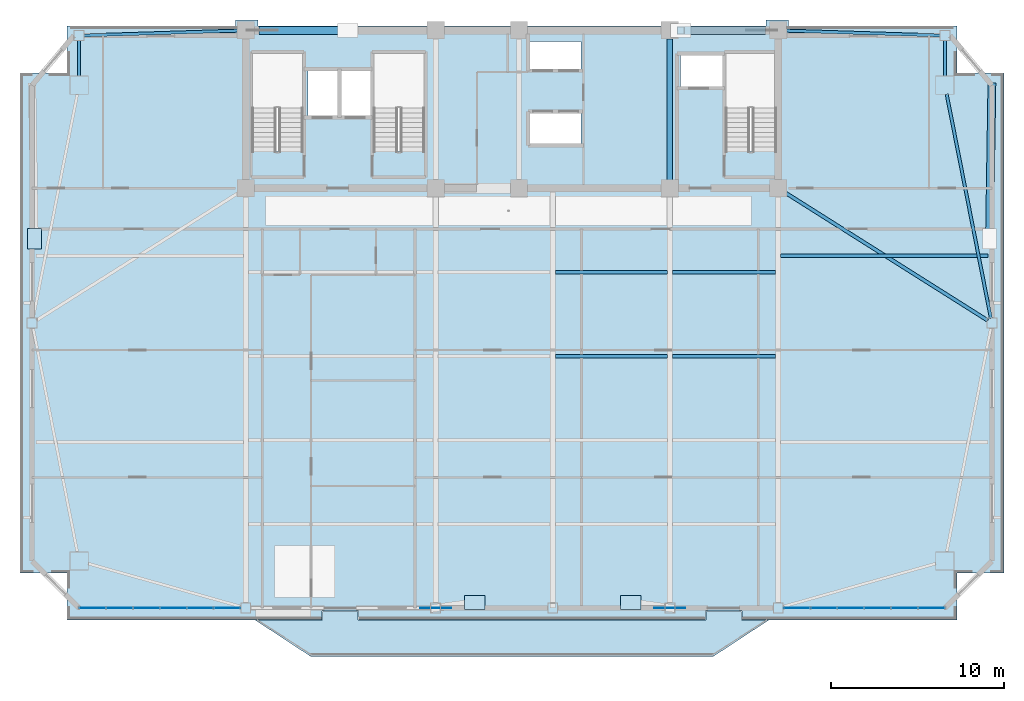
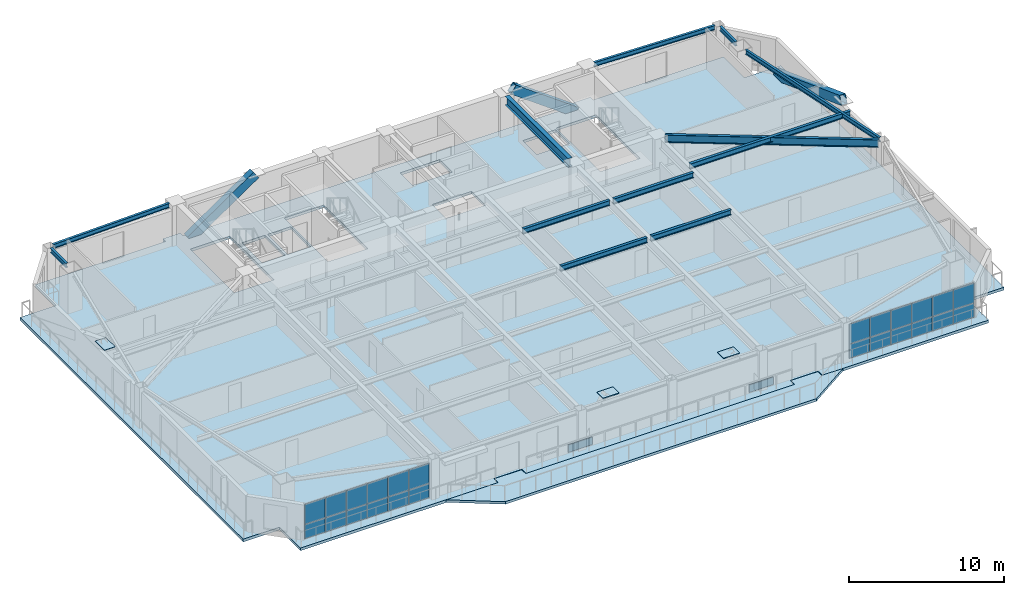
# One storey, part 7 of 16: 29 plates, 12 beams, 3 members, 2 slabs, 2 elements without a shape of their own.
"""IFC4 building model written with IfcOpenShell, lengths in metres."""

from ifc_helpers import new_model, si_unit, direction, frame, origin, origin_2d, place, context, subcontext, project, spatial, polyline, rectangle, hollow_rectangle, i_section, outline, extrude, source, transform, mapped, material, layer, layer_set, material_profile, profile_set, type_object, element, aggregate, save


model = new_model("IFC4")

# Units and contexts
model_context = context("Model", 3, precision=1e-05, world=origin(), true_north=direction((0.0, 1.0)))
body_context = subcontext(model_context, "Body", "Model", "MODEL_VIEW")
ifc_project = project(units=[si_unit("LENGTHUNIT", "METRE"), si_unit("AREAUNIT", "SQUARE_METRE"), si_unit("VOLUMEUNIT", "CUBIC_METRE"), si_unit("PLANEANGLEUNIT", "RADIAN"), si_unit("MASSUNIT", "GRAM", prefix="KILO")], contexts=[model_context])

# Site, building, storey
site_placement = place(None, origin())
site = spatial("IfcSite", under=ifc_project, at=site_placement, CompositionType="ELEMENT")
building_placement = place(site_placement, origin())
building = spatial("IfcBuilding", under=site, at=building_placement, Name="Giltprow Tower", CompositionType="ELEMENT")
storey_placement = place(building_placement, frame((0.0, 0.0, 227.0)))
storey = spatial("IfcBuildingStorey", under=building, at=storey_placement, Name="L57", CompositionType="ELEMENT", Elevation=227.0)

# Beams
ifc_material_1 = material(Name="Structural steel Q355B", Category="steel")
ifc_material_profile_1 = material_profile(ifc_material_1, i_section(OverallWidth=0.300048828125, OverallDepth=0.699951171875, WebThickness=0.012939453125, FlangeThickness=0.02392578125, at=origin_2d()), Name="HN 700x300x13x24")
ifc_profile_set_1 = profile_set([ifc_material_profile_1], Name="Structural steel Q355B")
beam_type_1 = type_object("IfcBeamType", Name="BM-GIRD-HN700", PredefinedType="BEAM", material=ifc_profile_set_1)
shared_shape_1 = source(origin(), body_context, "Body", "SweptSolid", [
    extrude(i_section(OverallWidth=0.300048828125, OverallDepth=0.699951171875, WebThickness=0.012939453125, FlangeThickness=0.02392578125, at=origin_2d()), origin(), (0.0, 0.0, 1.0), 8.1298828125),
])
beam_1_placement = place(storey_placement, frame((44.300048828125, 37.93505859375, 2.8349609375), z_axis=(0.0, 1.0, 0.0), x_axis=(-1.0, 0.0, 0.0)))
element("IfcBeam", 1, at=beam_1_placement, inside=storey, type_object=beam_type_1, Name="L57 Core Tie Girder M3", PredefinedType="BEAM", context=body_context, shape_type="MappedRepresentation", body=[
    mapped(shared_shape_1, transform((0.0, 0.0, 0.0), x_axis=(1.0, 0.0, 0.0), y_axis=(0.0, 1.0, 0.0), z_axis=(0.0, 0.0, 1.0), scale=1.0)),
])
ifc_material_profile_2 = material_profile(ifc_material_1, i_section(OverallWidth=0.199951171875, OverallDepth=0.39990234375, WebThickness=0.008056640625, FlangeThickness=0.012939453125, at=origin_2d()), Name="HN 400x200x8x13")
ifc_profile_set_2 = profile_set([ifc_material_profile_2], Name="Structural steel Q355B")
beam_type_2 = type_object("IfcBeamType", Name="BM-JOIST-HN400", PredefinedType="JOIST", material=ifc_profile_set_2)
shared_shape_2 = source(origin(), body_context, "Body", "SweptSolid", [
    extrude(i_section(OverallWidth=0.199951171875, OverallDepth=0.39990234375, WebThickness=0.008056640625, FlangeThickness=0.012939453125, at=origin_2d()), origin(), (0.0, 0.0, 1.0), 6.4599609375),
])
for number, where, z_axis, x_axis, name in (
    (2, (37.695068359375, 27.77001953125, 2.985107421875), (1.0, 0.0, 0.0), (0.0, 1.0, 0.0), "L57 Composite Floor Joist 3-3"),
    (3, (37.695068359375, 32.610107421875, 2.985107421875), (1.0, 0.0, 0.0), (0.0, 1.0, 0.0), "L57 Composite Floor Joist 4-3"),
):
    element("IfcBeam", number, at=place(storey_placement, frame(where, z_axis=z_axis, x_axis=x_axis)), inside=storey, type_object=beam_type_2, Name=name, PredefinedType="JOIST", context=body_context, shape_type="MappedRepresentation", body=[
        mapped(shared_shape_2, transform((0.0, 0.0, 0.0), x_axis=(1.0, 0.0, 0.0), y_axis=(0.0, 1.0, 0.0), z_axis=(0.0, 0.0, 1.0), scale=1.0)),
    ])
shared_shape_3 = source(origin(), body_context, "Body", "SweptSolid", [
    extrude(i_section(OverallWidth=0.199951171875, OverallDepth=0.39990234375, WebThickness=0.008056640625, FlangeThickness=0.012939453125, at=origin_2d()), origin(), (0.0, 0.0, 1.0), 5.9599609375),
])
for number, where, z_axis, x_axis, name in (
    (4, (44.445068359375, 27.77001953125, 2.985107421875), (1.0, 0.0, 0.0), (0.0, 1.0, 0.0), "L57 Composite Floor Joist 3-4"),
    (5, (44.445068359375, 32.610107421875, 2.985107421875), (1.0, 0.0, 0.0), (0.0, 1.0, 0.0), "L57 Composite Floor Joist 4-4"),
):
    element("IfcBeam", number, at=place(storey_placement, frame(where, z_axis=z_axis, x_axis=x_axis)), inside=storey, type_object=beam_type_2, Name=name, PredefinedType="JOIST", context=body_context, shape_type="MappedRepresentation", body=[
        mapped(shared_shape_3, transform((0.0, 0.0, 0.0), x_axis=(1.0, 0.0, 0.0), y_axis=(0.0, 1.0, 0.0), z_axis=(0.0, 0.0, 1.0), scale=1.0)),
    ])
ifc_material_profile_3 = material_profile(ifc_material_1, i_section(OverallWidth=0.199951171875, OverallDepth=0.60009765625, WebThickness=0.010986328125, FlangeThickness=0.01708984375, at=origin_2d()), Name="HN 600x200x11x17")
ifc_profile_set_3 = profile_set([ifc_material_profile_3], Name="Structural steel Q355B")
beam_type_3 = type_object("IfcBeamType", Name="BM-GIRD-HN600", PredefinedType="BEAM", material=ifc_profile_set_3)
shared_shape_4 = source(origin(), body_context, "Body", "SweptSolid", [
    extrude(i_section(OverallWidth=0.199951171875, OverallDepth=0.60009765625, WebThickness=0.010986328125, FlangeThickness=0.01708984375, at=origin_2d()), origin(), (0.0, 0.0, 1.0), 13.7958984375),
])
beam_2_placement = place(storey_placement, frame((62.6259765625, 29.826904296875, 2.885009765625), z_axis=(-0.845619658124, 0.533785906328, 0.0), x_axis=(-0.533785906328, -0.845619658124, 0.0)))
element("IfcBeam", 6, at=beam_2_placement, inside=storey, type_object=beam_type_3, Name="L57 East Wing Primary Girder", PredefinedType="BEAM", context=body_context, shape_type="MappedRepresentation", body=[
    mapped(shared_shape_4, transform((0.0, 0.0, 0.0), x_axis=(1.0, 0.0, 0.0), y_axis=(0.0, 1.0, 0.0), z_axis=(0.0, 0.0, 1.0), scale=1.0)),
])
shared_shape_5 = source(origin(), body_context, "Body", "SweptSolid", [
    extrude(i_section(OverallWidth=0.199951171875, OverallDepth=0.39990234375, WebThickness=0.008056640625, FlangeThickness=0.012939453125, at=origin_2d()), origin(), (0.0, 0.0, 1.0), 11.951904296875),
])
beam_3_placement = place(storey_placement, frame((50.695068359375, 33.56201171875, 2.985107421875), z_axis=(1.0, 0.0, 0.0), x_axis=(0.0, 1.0, 0.0)))
element("IfcBeam", 7, at=beam_3_placement, inside=storey, type_object=beam_type_2, Name="L57 East Wing Floor Joist 2", PredefinedType="JOIST", context=body_context, shape_type="MappedRepresentation", body=[
    mapped(shared_shape_5, transform((0.0, 0.0, 0.0), x_axis=(1.0, 0.0, 0.0), y_axis=(0.0, 1.0, 0.0), z_axis=(0.0, 0.0, 1.0), scale=1.0)),
])
ifc_material_profile_4 = material_profile(ifc_material_1, i_section(OverallWidth=0.175048828125, OverallDepth=0.35009765625, WebThickness=0.007080078125, FlangeThickness=0.010986328125, at=origin_2d()), Name="HN 350x175x7x11")
ifc_profile_set_4 = profile_set([ifc_material_profile_4], Name="Structural steel Q355B")
beam_type_4 = type_object("IfcBeamType", Name="BM-SPAN-HN350", PredefinedType="SPANDREL", material=ifc_profile_set_4)
shared_shape_6 = source(origin(), body_context, "Body", "SweptSolid", [
    extrude(i_section(OverallWidth=0.175048828125, OverallDepth=0.35009765625, WebThickness=0.007080078125, FlangeThickness=0.010986328125, at=origin_2d()), origin(), (0.0, 0.0, 1.0), 13.161865234375),
])
beam_4_placement = place(storey_placement, frame((62.81201171875, 29.955078125, 3.010009765625), z_axis=(-0.193597089577, 0.981081121471, 0.0), x_axis=(-0.981081121471, -0.193597089577, 0.0)))
element("IfcBeam", 8, at=beam_4_placement, inside=storey, type_object=beam_type_4, Name="L57 Perimeter Spandrel Beam E_MID-MC_NE", PredefinedType="SPANDREL", context=body_context, shape_type="MappedRepresentation", body=[
    mapped(shared_shape_6, transform((0.0, 0.0, 0.0), x_axis=(1.0, 0.0, 0.0), y_axis=(0.0, 1.0, 0.0), z_axis=(0.0, 0.0, 1.0), scale=1.0)),
])
shared_shape_7 = source(origin(), body_context, "Body", "SweptSolid", [
    extrude(i_section(OverallWidth=0.175048828125, OverallDepth=0.35009765625, WebThickness=0.007080078125, FlangeThickness=0.010986328125, at=origin_2d()), origin(), (0.0, 0.0, 1.0), 2.037109375),
])
for number, where, z_axis, x_axis, name in (
    (9, (60.159912109375, 43.927978515625, 3.010009765625), (0.0, 1.0, 0.0), (-1.0, 0.0, 0.0), "L57 Perimeter Spandrel Beam MC_NE-N_E"),
    (10, (10.239990234375, 45.965087890625, 3.010009765625), (0.0, -1.0, 0.0), (1.0, 0.0, 0.0), "L57 Perimeter Spandrel Beam N_W-MC_NW"),
):
    element("IfcBeam", number, at=place(storey_placement, frame(where, z_axis=z_axis, x_axis=x_axis)), inside=storey, type_object=beam_type_4, Name=name, PredefinedType="SPANDREL", context=body_context, shape_type="MappedRepresentation", body=[
        mapped(shared_shape_7, transform((0.0, 0.0, 0.0), x_axis=(1.0, 0.0, 0.0), y_axis=(0.0, 1.0, 0.0), z_axis=(0.0, 0.0, 1.0), scale=1.0)),
    ])
shared_shape_8 = source(origin(), body_context, "Body", "SweptSolid", [
    extrude(i_section(OverallWidth=0.175048828125, OverallDepth=0.35009765625, WebThickness=0.007080078125, FlangeThickness=0.010986328125, at=origin_2d()), origin(), (0.0, 0.0, 1.0), 8.844482421875),
])
for number, where, z_axis, x_axis, name in (
    (11, (10.52490234375, 46.259033203125, 3.010009765625), (0.999513394801, 0.031192524956, 0.0), (-0.031192524956, 0.999513394801, 0.0), "L57 North Wing Spandrel W"),
    (12, (51.034912109375, 46.534912109375, 3.010009765625), (0.999513394801, -0.031192524956, 0.0), (0.031192524956, 0.999513394801, 0.0), "L57 North Wing Spandrel E"),
):
    element("IfcBeam", number, at=place(storey_placement, frame(where, z_axis=z_axis, x_axis=x_axis)), inside=storey, type_object=beam_type_4, Name=name, PredefinedType="SPANDREL", context=body_context, shape_type="MappedRepresentation", body=[
        mapped(shared_shape_8, transform((0.0, 0.0, 0.0), x_axis=(1.0, 0.0, 0.0), y_axis=(0.0, 1.0, 0.0), z_axis=(0.0, 0.0, 1.0), scale=1.0)),
    ])

# Members
ifc_material_2 = material(Name="Structural steel Q420GJC", Category="steel")
ifc_material_profile_5 = material_profile(ifc_material_2, hollow_rectangle(XDim=0.449951171875, YDim=0.699951171875, WallThickness=0.031982421875, at=origin_2d()), Name="RHS 700x450x32")
ifc_profile_set_5 = profile_set([ifc_material_profile_5], Name="Structural steel Q420GJC")
member_type = type_object("IfcMemberType", Name="MBR-MEGA-RHS700", PredefinedType="BRACE", material=ifc_profile_set_5)
shared_shape_9 = source(origin(), body_context, "Body", "SweptSolid", [
    extrude(hollow_rectangle(XDim=0.449951171875, YDim=0.699951171875, WallThickness=0.031982421875, at=origin_2d()), origin(), (0.0, 0.0, 1.0), 5.990966796875),
])
member_1_placement = place(storey_placement, frame((20.800048828125, 46.550048828125, -0.139892578125), z_axis=(0.823374311816, 0.0, 0.56749867193), x_axis=(0.0, 1.0, 0.0)))
element("IfcMember", 13, at=member_1_placement, inside=storey, type_object=member_type, Name="L57 Chevron Mega-Brace N-L", PredefinedType="BRACE", context=body_context, shape_type="MappedRepresentation", body=[
    mapped(shared_shape_9, transform((0.0, 0.0, 0.0), x_axis=(1.0, 0.0, 0.0), y_axis=(0.0, 1.0, 0.0), z_axis=(0.0, 0.0, 1.0), scale=1.0)),
])
shared_shape_10 = source(origin(), body_context, "Body", "SweptSolid", [
    extrude(hollow_rectangle(XDim=0.449951171875, YDim=0.699951171875, WallThickness=0.031982421875, at=origin_2d()), origin(), (0.0, 0.0, 1.0), 5.774169921875),
])
member_2_placement = place(storey_placement, frame((49.60009765625, 46.550048828125, -0.139892578125), z_axis=(-0.808264093398, 0.0, 0.588820138348), x_axis=(0.0, -1.0, 0.0)))
element("IfcMember", 14, at=member_2_placement, inside=storey, type_object=member_type, Name="L57 Chevron Mega-Brace N-R", PredefinedType="BRACE", context=body_context, shape_type="MappedRepresentation", body=[
    mapped(shared_shape_10, transform((0.0, 0.0, 0.0), x_axis=(1.0, 0.0, 0.0), y_axis=(0.0, 1.0, 0.0), z_axis=(0.0, 0.0, 1.0), scale=1.0)),
])
shared_shape_11 = source(origin(), body_context, "Body", "SweptSolid", [
    extrude(hollow_rectangle(XDim=0.449951171875, YDim=0.699951171875, WallThickness=0.031982421875, at=origin_2d()), origin(), (0.0, 0.0, 1.0), 9.481689453125),
])
member_3_placement = place(storey_placement, frame((62.866943359375, 43.39306640625, 0.0), z_axis=(-0.014547969901, -0.933387449391, 0.358575272282), x_axis=(0.999878557203, -0.015584314064, 0.0)))
element("IfcMember", 15, at=member_3_placement, inside=storey, type_object=member_type, Name="L57 Chevron Mega-Brace E-D", PredefinedType="BRACE", context=body_context, shape_type="MappedRepresentation", body=[
    mapped(shared_shape_11, transform((0.0, 0.0, 0.0), x_axis=(1.0, 0.0, 0.0), y_axis=(0.0, 1.0, 0.0), z_axis=(0.0, 0.0, 1.0), scale=1.0)),
])

# Slabs
ifc_material_3 = material(Name="Concrete C40", Category="concrete")
ifc_layer_1 = layer(ifc_material_3, 0.199951171875, Name="Concrete C40")
ifc_layer_set_1 = layer_set([ifc_layer_1], Name="Concrete C40")
slab_type_1 = type_object("IfcSlabType", Name="SLB-BALC-BRONZE-200", PredefinedType="FLOOR", material=ifc_layer_set_1)
slab_1_placement = place(storey_placement, frame((0.0, 0.0, -0.199951171875)))
element("IfcSlab", 16, at=slab_1_placement, inside=storey, type_object=slab_type_1, Name="L57 Bronze Prow Waterfront Balcony Slab", PredefinedType="FLOOR", context=body_context, shape_type="SweptSolid", body=[
    extrude(outline(polyline([(50.0, 12.550048828125), (46.800048828125, 10.449951171875), (23.60009765625, 10.449951171875), (20.39990234375, 12.550048828125), (24.280029296875, 12.550048828125), (24.280029296875, 13.050048828125), (26.320068359375, 13.050048828125), (26.320068359375, 12.550048828125), (46.3798828125, 12.550048828125), (46.3798828125, 13.050048828125), (48.419921875, 13.050048828125), (48.419921875, 12.550048828125), (50.0, 12.550048828125)])), origin(), (0.0, 0.0, 1.0), 0.199951171875),
])
ifc_layer_2 = layer(ifc_material_3, 0.215087890625, Name="Concrete C40")
ifc_layer_set_2 = layer_set([ifc_layer_2], Name="Concrete C40")
slab_type_2 = type_object("IfcSlabType", Name="SLB-RES-215", PredefinedType="FLOOR", material=ifc_layer_set_2)
slab_2_placement = place(storey_placement, frame((0.0, 0.0, -0.215087890625)))
element("IfcSlab", 17, at=slab_2_placement, inside=storey, type_object=slab_type_2, Name="L57 Structural Composite Floor Slab", PredefinedType="FLOOR", context=body_context, shape_type="SweptSolid", body=[
    extrude(outline(polyline([(63.56689453125, 44.093017578125), (63.56689453125, 15.257080078125), (60.860107421875, 15.257080078125), (60.860107421875, 12.550048828125), (48.449951171875, 12.550048828125), (48.449951171875, 13.070068359375), (46.35009765625, 13.070068359375), (46.35009765625, 12.550048828125), (26.35009765625, 12.550048828125), (26.35009765625, 13.070068359375), (24.25, 13.070068359375), (24.25, 12.550048828125), (9.5400390625, 12.550048828125), (9.5400390625, 15.257080078125), (6.8330078125, 15.257080078125), (6.8330078125, 44.093017578125), (9.5400390625, 44.093017578125), (9.5400390625, 46.800048828125), (19.25, 46.800048828125), (19.25, 47.14990234375), (20.550048828125, 47.14990234375), (20.550048828125, 46.800048828125), (49.85009765625, 46.800048828125), (49.85009765625, 47.14990234375), (51.14990234375, 47.14990234375), (51.14990234375, 46.800048828125), (60.860107421875, 46.800048828125), (60.860107421875, 44.093017578125), (63.56689453125, 44.093017578125)]), holes=[polyline([(39.18994140625, 41.800048828125), (36.239990234375, 41.800048828125), (36.239990234375, 40.0), (39.18994140625, 40.0), (39.18994140625, 41.800048828125)]), polyline([(23.159912109375, 39.570068359375), (23.159912109375, 45.25), (20.199951171875, 45.25), (20.199951171875, 39.570068359375), (23.159912109375, 39.570068359375)]), polyline([(30.159912109375, 39.570068359375), (30.159912109375, 45.25), (27.199951171875, 45.25), (27.199951171875, 39.570068359375), (30.159912109375, 39.570068359375)]), polyline([(50.4599609375, 45.25), (47.5, 45.25), (47.5, 39.570068359375), (50.4599609375, 39.570068359375), (50.4599609375, 45.25)]), polyline([(25.169921875, 44.199951171875), (23.449951171875, 44.199951171875), (23.449951171875, 41.60009765625), (25.169921875, 41.60009765625), (25.169921875, 44.199951171875)]), polyline([(27.10009765625, 44.199951171875), (25.35009765625, 44.199951171875), (25.35009765625, 41.60009765625), (27.10009765625, 41.60009765625), (27.10009765625, 44.199951171875)]), polyline([(47.3798828125, 43.300048828125), (47.3798828125, 45.10009765625), (44.919921875, 45.10009765625), (44.919921875, 43.300048828125), (47.3798828125, 43.300048828125)]), polyline([(39.18994140625, 44.300048828125), (39.18994140625, 45.919921875), (36.239990234375, 45.919921875), (36.239990234375, 44.300048828125), (39.18994140625, 44.300048828125)])]), origin(), (0.0, 0.0, 1.0), 0.215087890625),
])

# Plates
plate_type_1 = type_object("IfcPlateType", Name="PLT-NODE-MBN1", PredefinedType="USERDEFINED", material=ifc_material_2)
shared_shape_12 = source(origin(), body_context, "Body", "SweptSolid", [
    extrude(rectangle(XDim=1.800048828125, YDim=0.050048828125, at=origin_2d()), origin(), (0.0, 0.0, 1.0), 1.14990234375),
])
for number, where, z_axis, x_axis, name in (
    (18, (30.800048828125, 13.25, -0.574951171875), (0.0, 0.0, 1.0), (1.0, 0.0, 0.0), "Mega-Brace Node L57-S-LA"),
    (19, (44.300048828125, 13.25, -0.574951171875), (0.0, 0.0, 1.0), (1.0, 0.0, 0.0), "Mega-Brace Node L57-S-RA"),
):
    element("IfcPlate", number, at=place(storey_placement, frame(where, z_axis=z_axis, x_axis=x_axis)), inside=storey, type_object=plate_type_1, Name=name, ObjectType="GUSSET", PredefinedType="USERDEFINED", context=body_context, shape_type="MappedRepresentation", body=[
        mapped(shared_shape_12, transform((0.0, 0.0, 0.0), x_axis=(1.0, 0.0, 0.0), y_axis=(0.0, 1.0, 0.0), z_axis=(0.0, 0.0, 1.0), scale=1.0)),
    ])
plate_type_2 = type_object("IfcPlateType", Name="PLT-CAP-SEAL", PredefinedType="USERDEFINED", material=ifc_material_2)
shared_shape_13 = source(origin(), body_context, "Body", "SweptSolid", [
    extrude(rectangle(XDim=1.199951171875, YDim=0.800048828125, at=origin_2d()), origin(), (0.0, 0.0, 1.0), 0.034912109375),
])
for number, where, z_axis, x_axis, name in (
    (20, (33.050048828125, 13.56103515625, 3.38232421875), (0.0, 0.0, 1.0), (1.0, 0.0, 0.0), "Mega-Brace Node L57-S-LB"),
    (21, (42.050048828125, 13.56103515625, 3.38232421875), (0.0, 0.0, 1.0), (1.0, 0.0, 0.0), "Mega-Brace Node L57-S-RB"),
    (22, (7.6708984375, 34.54296875, 3.38232421875), (0.0, 0.0, 1.0), (0.0, 1.0, 0.0), "Mega-Brace Node L57-W-DB"),
):
    element("IfcPlate", number, at=place(storey_placement, frame(where, z_axis=z_axis, x_axis=x_axis)), inside=storey, type_object=plate_type_2, Name=name, ObjectType="SPLICE", PredefinedType="USERDEFINED", context=body_context, shape_type="MappedRepresentation", body=[
        mapped(shared_shape_13, transform((0.0, 0.0, 0.0), x_axis=(1.0, 0.0, 0.0), y_axis=(0.0, 1.0, 0.0), z_axis=(0.0, 0.0, 1.0), scale=1.0)),
    ])

# Curtain wall, plates
ifc_material_4 = material(Name="Anodized bronze", Category="metal")
ifc_layer_3 = layer(ifc_material_4, 0.179931640625, Name="Anodized bronze")
ifc_layer_set_3 = layer_set([ifc_layer_3], Name="Anodized bronze")
curtain_wall_type = type_object("IfcCurtainWallType", Name="CW-RES-SKY", PredefinedType="NOTDEFINED", material=ifc_layer_set_3)
curtain_wall_1_placement = place(storey_placement, origin())
curtain_wall_1 = element("IfcCurtainWall", 23, at=curtain_wall_1_placement, inside=storey, type_object=curtain_wall_type, Name="L57 South Recessed Curtain Wall 1", PredefinedType="NOTDEFINED")
ifc_material_5 = material(Name="Insulated glass", Category="glass")
plate_type_3 = type_object("IfcPlateType", Name="CW-PANEL-IGU-28", PredefinedType="CURTAIN_PANEL", material=ifc_material_5)
shared_shape_14 = source(origin(), body_context, "Body", "SweptSolid", [
    extrude(rectangle(XDim=1.52197265625, YDim=0.028076171875, at=origin_2d()), origin(), (0.0, 0.0, 1.0), 1.114013671875),
])
plate_1_placement = place(storey_placement, frame((11.01611328125, 13.25, 0.05419921875), z_axis=(0.0, 0.0, 1.0), x_axis=(1.0, 0.0, 0.0)))
plate_1 = element("IfcPlate", 24, at=plate_1_placement, type_object=plate_type_3, Name="L57 South Recessed Curtain Wall 1 Glazing Panel 1-1", PredefinedType="CURTAIN_PANEL", context=body_context, shape_type="MappedRepresentation", body=[
    mapped(shared_shape_14, transform((0.0, 0.0, 0.0), x_axis=(1.0, 0.0, 0.0), y_axis=(0.0, 1.0, 0.0), z_axis=(0.0, 0.0, 1.0), scale=1.0)),
])
plate_2_placement = place(storey_placement, frame((12.568115234375, 13.25, 0.05419921875), z_axis=(0.0, 0.0, 1.0), x_axis=(1.0, 0.0, 0.0)))
plate_2 = element("IfcPlate", 25, at=plate_2_placement, type_object=plate_type_3, Name="L57 South Recessed Curtain Wall 1 Glazing Panel 2-1", PredefinedType="CURTAIN_PANEL", context=body_context, shape_type="MappedRepresentation", body=[
    mapped(shared_shape_14, transform((0.0, 0.0, 0.0), x_axis=(1.0, 0.0, 0.0), y_axis=(0.0, 1.0, 0.0), z_axis=(0.0, 0.0, 1.0), scale=1.0)),
])
plate_3_placement = place(storey_placement, frame((14.118896484375, 13.25, 0.05419921875), z_axis=(0.0, 0.0, 1.0), x_axis=(1.0, 0.0, 0.0)))
plate_3 = element("IfcPlate", 26, at=plate_3_placement, type_object=plate_type_3, Name="L57 South Recessed Curtain Wall 1 Glazing Panel 3-1", PredefinedType="CURTAIN_PANEL", context=body_context, shape_type="MappedRepresentation", body=[
    mapped(shared_shape_14, transform((0.0, 0.0, 0.0), x_axis=(1.0, 0.0, 0.0), y_axis=(0.0, 1.0, 0.0), z_axis=(0.0, 0.0, 1.0), scale=1.0)),
])
plate_4_placement = place(storey_placement, frame((15.6708984375, 13.25, 0.05419921875), z_axis=(0.0, 0.0, 1.0), x_axis=(1.0, 0.0, 0.0)))
plate_4 = element("IfcPlate", 27, at=plate_4_placement, type_object=plate_type_3, Name="L57 South Recessed Curtain Wall 1 Glazing Panel 4-1", PredefinedType="CURTAIN_PANEL", context=body_context, shape_type="MappedRepresentation", body=[
    mapped(shared_shape_14, transform((0.0, 0.0, 0.0), x_axis=(1.0, 0.0, 0.0), y_axis=(0.0, 1.0, 0.0), z_axis=(0.0, 0.0, 1.0), scale=1.0)),
])
plate_5_placement = place(storey_placement, frame((17.222900390625, 13.25, 0.05419921875), z_axis=(0.0, 0.0, 1.0), x_axis=(1.0, 0.0, 0.0)))
plate_5 = element("IfcPlate", 28, at=plate_5_placement, type_object=plate_type_3, Name="L57 South Recessed Curtain Wall 1 Glazing Panel 5-1", PredefinedType="CURTAIN_PANEL", context=body_context, shape_type="MappedRepresentation", body=[
    mapped(shared_shape_14, transform((0.0, 0.0, 0.0), x_axis=(1.0, 0.0, 0.0), y_axis=(0.0, 1.0, 0.0), z_axis=(0.0, 0.0, 1.0), scale=1.0)),
])
plate_6_placement = place(storey_placement, frame((18.77392578125, 13.25, 0.05419921875), z_axis=(0.0, 0.0, 1.0), x_axis=(1.0, 0.0, 0.0)))
plate_6 = element("IfcPlate", 29, at=plate_6_placement, type_object=plate_type_3, Name="L57 South Recessed Curtain Wall 1 Glazing Panel 6-1", PredefinedType="CURTAIN_PANEL", context=body_context, shape_type="MappedRepresentation", body=[
    mapped(shared_shape_14, transform((0.0, 0.0, 0.0), x_axis=(1.0, 0.0, 0.0), y_axis=(0.0, 1.0, 0.0), z_axis=(0.0, 0.0, 1.0), scale=1.0)),
])

curtain_wall_2_placement = place(storey_placement, origin())
curtain_wall_2 = element("IfcCurtainWall", 30, at=curtain_wall_2_placement, inside=storey, type_object=curtain_wall_type, Name="L57 South Recessed Curtain Wall 6", PredefinedType="NOTDEFINED")
plate_7_placement = place(storey_placement, frame((51.6259765625, 13.25, 0.05419921875), z_axis=(0.0, 0.0, 1.0), x_axis=(1.0, 0.0, 0.0)))
plate_7 = element("IfcPlate", 31, at=plate_7_placement, type_object=plate_type_3, Name="L57 South Recessed Curtain Wall 6 Glazing Panel 1-1", PredefinedType="CURTAIN_PANEL", context=body_context, shape_type="MappedRepresentation", body=[
    mapped(shared_shape_14, transform((0.0, 0.0, 0.0), x_axis=(1.0, 0.0, 0.0), y_axis=(0.0, 1.0, 0.0), z_axis=(0.0, 0.0, 1.0), scale=1.0)),
])
plate_8_placement = place(storey_placement, frame((53.177978515625, 13.25, 0.05419921875), z_axis=(0.0, 0.0, 1.0), x_axis=(1.0, 0.0, 0.0)))
plate_8 = element("IfcPlate", 32, at=plate_8_placement, type_object=plate_type_3, Name="L57 South Recessed Curtain Wall 6 Glazing Panel 2-1", PredefinedType="CURTAIN_PANEL", context=body_context, shape_type="MappedRepresentation", body=[
    mapped(shared_shape_14, transform((0.0, 0.0, 0.0), x_axis=(1.0, 0.0, 0.0), y_axis=(0.0, 1.0, 0.0), z_axis=(0.0, 0.0, 1.0), scale=1.0)),
])
plate_9_placement = place(storey_placement, frame((54.72900390625, 13.25, 0.05419921875), z_axis=(0.0, 0.0, 1.0), x_axis=(1.0, 0.0, 0.0)))
plate_9 = element("IfcPlate", 33, at=plate_9_placement, type_object=plate_type_3, Name="L57 South Recessed Curtain Wall 6 Glazing Panel 3-1", PredefinedType="CURTAIN_PANEL", context=body_context, shape_type="MappedRepresentation", body=[
    mapped(shared_shape_14, transform((0.0, 0.0, 0.0), x_axis=(1.0, 0.0, 0.0), y_axis=(0.0, 1.0, 0.0), z_axis=(0.0, 0.0, 1.0), scale=1.0)),
])
plate_10_placement = place(storey_placement, frame((56.281005859375, 13.25, 0.05419921875), z_axis=(0.0, 0.0, 1.0), x_axis=(1.0, 0.0, 0.0)))
plate_10 = element("IfcPlate", 34, at=plate_10_placement, type_object=plate_type_3, Name="L57 South Recessed Curtain Wall 6 Glazing Panel 4-1", PredefinedType="CURTAIN_PANEL", context=body_context, shape_type="MappedRepresentation", body=[
    mapped(shared_shape_14, transform((0.0, 0.0, 0.0), x_axis=(1.0, 0.0, 0.0), y_axis=(0.0, 1.0, 0.0), z_axis=(0.0, 0.0, 1.0), scale=1.0)),
])
plate_11_placement = place(storey_placement, frame((57.83203125, 13.25, 0.05419921875), z_axis=(0.0, 0.0, 1.0), x_axis=(1.0, 0.0, 0.0)))
plate_11 = element("IfcPlate", 35, at=plate_11_placement, type_object=plate_type_3, Name="L57 South Recessed Curtain Wall 6 Glazing Panel 5-1", PredefinedType="CURTAIN_PANEL", context=body_context, shape_type="MappedRepresentation", body=[
    mapped(shared_shape_14, transform((0.0, 0.0, 0.0), x_axis=(1.0, 0.0, 0.0), y_axis=(0.0, 1.0, 0.0), z_axis=(0.0, 0.0, 1.0), scale=1.0)),
])
plate_12_placement = place(storey_placement, frame((59.384033203125, 13.25, 0.05419921875), z_axis=(0.0, 0.0, 1.0), x_axis=(1.0, 0.0, 0.0)))
plate_12 = element("IfcPlate", 36, at=plate_12_placement, type_object=plate_type_3, Name="L57 South Recessed Curtain Wall 6 Glazing Panel 6-1", PredefinedType="CURTAIN_PANEL", context=body_context, shape_type="MappedRepresentation", body=[
    mapped(shared_shape_14, transform((0.0, 0.0, 0.0), x_axis=(1.0, 0.0, 0.0), y_axis=(0.0, 1.0, 0.0), z_axis=(0.0, 0.0, 1.0), scale=1.0)),
])

# Plate
shared_shape_15 = source(origin(), body_context, "Body", "SweptSolid", [
    extrude(rectangle(XDim=1.52197265625, YDim=0.028076171875, at=origin_2d()), origin(), (0.0, 0.0, 1.0), 1.56494140625),
])
plate_13_placement = place(storey_placement, frame((11.01611328125, 13.25, 1.195556640625), z_axis=(0.0, 0.0, 1.0), x_axis=(1.0, 0.0, 0.0)))
plate_13 = element("IfcPlate", 37, at=plate_13_placement, type_object=plate_type_3, Name="L57 South Recessed Curtain Wall 1 Glazing Panel 1-2", PredefinedType="CURTAIN_PANEL", context=body_context, shape_type="MappedRepresentation", body=[
    mapped(shared_shape_15, transform((0.0, 0.0, 0.0), x_axis=(1.0, 0.0, 0.0), y_axis=(0.0, 1.0, 0.0), z_axis=(0.0, 0.0, 1.0), scale=1.0)),
])

plate_14_placement = place(storey_placement, frame((12.568115234375, 13.25, 1.195556640625), z_axis=(0.0, 0.0, 1.0), x_axis=(1.0, 0.0, 0.0)))
plate_14 = element("IfcPlate", 38, at=plate_14_placement, type_object=plate_type_3, Name="L57 South Recessed Curtain Wall 1 Glazing Panel 2-2", PredefinedType="CURTAIN_PANEL", context=body_context, shape_type="MappedRepresentation", body=[
    mapped(shared_shape_15, transform((0.0, 0.0, 0.0), x_axis=(1.0, 0.0, 0.0), y_axis=(0.0, 1.0, 0.0), z_axis=(0.0, 0.0, 1.0), scale=1.0)),
])

plate_15_placement = place(storey_placement, frame((14.118896484375, 13.25, 1.195556640625), z_axis=(0.0, 0.0, 1.0), x_axis=(1.0, 0.0, 0.0)))
plate_15 = element("IfcPlate", 39, at=plate_15_placement, type_object=plate_type_3, Name="L57 South Recessed Curtain Wall 1 Glazing Panel 3-2", PredefinedType="CURTAIN_PANEL", context=body_context, shape_type="MappedRepresentation", body=[
    mapped(shared_shape_15, transform((0.0, 0.0, 0.0), x_axis=(1.0, 0.0, 0.0), y_axis=(0.0, 1.0, 0.0), z_axis=(0.0, 0.0, 1.0), scale=1.0)),
])

plate_16_placement = place(storey_placement, frame((15.6708984375, 13.25, 1.195556640625), z_axis=(0.0, 0.0, 1.0), x_axis=(1.0, 0.0, 0.0)))
plate_16 = element("IfcPlate", 40, at=plate_16_placement, type_object=plate_type_3, Name="L57 South Recessed Curtain Wall 1 Glazing Panel 4-2", PredefinedType="CURTAIN_PANEL", context=body_context, shape_type="MappedRepresentation", body=[
    mapped(shared_shape_15, transform((0.0, 0.0, 0.0), x_axis=(1.0, 0.0, 0.0), y_axis=(0.0, 1.0, 0.0), z_axis=(0.0, 0.0, 1.0), scale=1.0)),
])

plate_17_placement = place(storey_placement, frame((17.222900390625, 13.25, 1.195556640625), z_axis=(0.0, 0.0, 1.0), x_axis=(1.0, 0.0, 0.0)))
plate_17 = element("IfcPlate", 41, at=plate_17_placement, type_object=plate_type_3, Name="L57 South Recessed Curtain Wall 1 Glazing Panel 5-2", PredefinedType="CURTAIN_PANEL", context=body_context, shape_type="MappedRepresentation", body=[
    mapped(shared_shape_15, transform((0.0, 0.0, 0.0), x_axis=(1.0, 0.0, 0.0), y_axis=(0.0, 1.0, 0.0), z_axis=(0.0, 0.0, 1.0), scale=1.0)),
])

plate_18_placement = place(storey_placement, frame((18.77392578125, 13.25, 1.195556640625), z_axis=(0.0, 0.0, 1.0), x_axis=(1.0, 0.0, 0.0)))
plate_18 = element("IfcPlate", 42, at=plate_18_placement, type_object=plate_type_3, Name="L57 South Recessed Curtain Wall 1 Glazing Panel 6-2", PredefinedType="CURTAIN_PANEL", context=body_context, shape_type="MappedRepresentation", body=[
    mapped(shared_shape_15, transform((0.0, 0.0, 0.0), x_axis=(1.0, 0.0, 0.0), y_axis=(0.0, 1.0, 0.0), z_axis=(0.0, 0.0, 1.0), scale=1.0)),
])

aggregate(curtain_wall_1, [plate_1, plate_13, plate_2, plate_14, plate_3, plate_15, plate_4, plate_16, plate_5, plate_17, plate_6, plate_18])

plate_19_placement = place(storey_placement, frame((51.6259765625, 13.25, 1.195556640625), z_axis=(0.0, 0.0, 1.0), x_axis=(1.0, 0.0, 0.0)))
plate_19 = element("IfcPlate", 43, at=plate_19_placement, type_object=plate_type_3, Name="L57 South Recessed Curtain Wall 6 Glazing Panel 1-2", PredefinedType="CURTAIN_PANEL", context=body_context, shape_type="MappedRepresentation", body=[
    mapped(shared_shape_15, transform((0.0, 0.0, 0.0), x_axis=(1.0, 0.0, 0.0), y_axis=(0.0, 1.0, 0.0), z_axis=(0.0, 0.0, 1.0), scale=1.0)),
])

plate_20_placement = place(storey_placement, frame((53.177978515625, 13.25, 1.195556640625), z_axis=(0.0, 0.0, 1.0), x_axis=(1.0, 0.0, 0.0)))
plate_20 = element("IfcPlate", 44, at=plate_20_placement, type_object=plate_type_3, Name="L57 South Recessed Curtain Wall 6 Glazing Panel 2-2", PredefinedType="CURTAIN_PANEL", context=body_context, shape_type="MappedRepresentation", body=[
    mapped(shared_shape_15, transform((0.0, 0.0, 0.0), x_axis=(1.0, 0.0, 0.0), y_axis=(0.0, 1.0, 0.0), z_axis=(0.0, 0.0, 1.0), scale=1.0)),
])

plate_21_placement = place(storey_placement, frame((54.72900390625, 13.25, 1.195556640625), z_axis=(0.0, 0.0, 1.0), x_axis=(1.0, 0.0, 0.0)))
plate_21 = element("IfcPlate", 45, at=plate_21_placement, type_object=plate_type_3, Name="L57 South Recessed Curtain Wall 6 Glazing Panel 3-2", PredefinedType="CURTAIN_PANEL", context=body_context, shape_type="MappedRepresentation", body=[
    mapped(shared_shape_15, transform((0.0, 0.0, 0.0), x_axis=(1.0, 0.0, 0.0), y_axis=(0.0, 1.0, 0.0), z_axis=(0.0, 0.0, 1.0), scale=1.0)),
])

plate_22_placement = place(storey_placement, frame((56.281005859375, 13.25, 1.195556640625), z_axis=(0.0, 0.0, 1.0), x_axis=(1.0, 0.0, 0.0)))
plate_22 = element("IfcPlate", 46, at=plate_22_placement, type_object=plate_type_3, Name="L57 South Recessed Curtain Wall 6 Glazing Panel 4-2", PredefinedType="CURTAIN_PANEL", context=body_context, shape_type="MappedRepresentation", body=[
    mapped(shared_shape_15, transform((0.0, 0.0, 0.0), x_axis=(1.0, 0.0, 0.0), y_axis=(0.0, 1.0, 0.0), z_axis=(0.0, 0.0, 1.0), scale=1.0)),
])

plate_23_placement = place(storey_placement, frame((57.83203125, 13.25, 1.195556640625), z_axis=(0.0, 0.0, 1.0), x_axis=(1.0, 0.0, 0.0)))
plate_23 = element("IfcPlate", 47, at=plate_23_placement, type_object=plate_type_3, Name="L57 South Recessed Curtain Wall 6 Glazing Panel 5-2", PredefinedType="CURTAIN_PANEL", context=body_context, shape_type="MappedRepresentation", body=[
    mapped(shared_shape_15, transform((0.0, 0.0, 0.0), x_axis=(1.0, 0.0, 0.0), y_axis=(0.0, 1.0, 0.0), z_axis=(0.0, 0.0, 1.0), scale=1.0)),
])

plate_24_placement = place(storey_placement, frame((59.384033203125, 13.25, 1.195556640625), z_axis=(0.0, 0.0, 1.0), x_axis=(1.0, 0.0, 0.0)))
plate_24 = element("IfcPlate", 48, at=plate_24_placement, type_object=plate_type_3, Name="L57 South Recessed Curtain Wall 6 Glazing Panel 6-2", PredefinedType="CURTAIN_PANEL", context=body_context, shape_type="MappedRepresentation", body=[
    mapped(shared_shape_15, transform((0.0, 0.0, 0.0), x_axis=(1.0, 0.0, 0.0), y_axis=(0.0, 1.0, 0.0), z_axis=(0.0, 0.0, 1.0), scale=1.0)),
])

aggregate(curtain_wall_2, [plate_7, plate_19, plate_8, plate_20, plate_9, plate_21, plate_10, plate_22, plate_11, plate_23, plate_12, plate_24])

save(model, "model.ifc")
